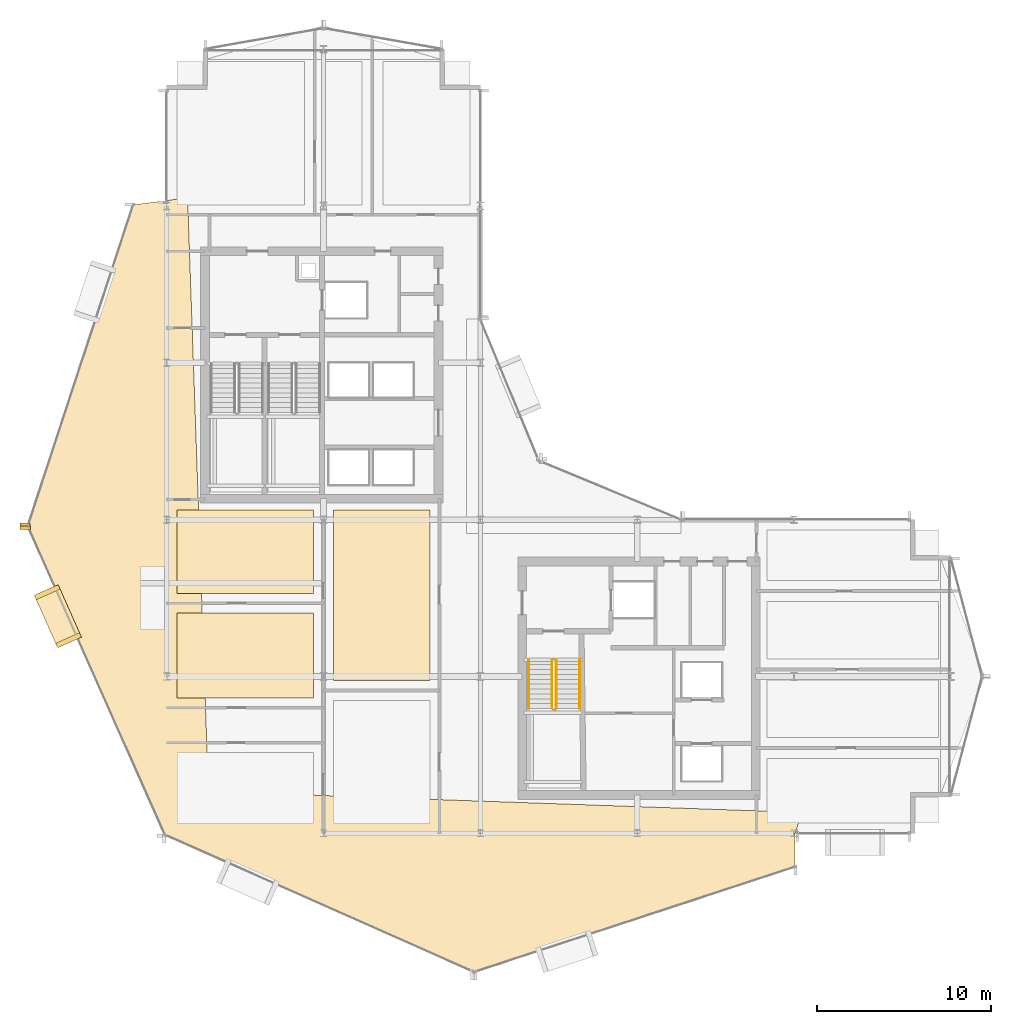
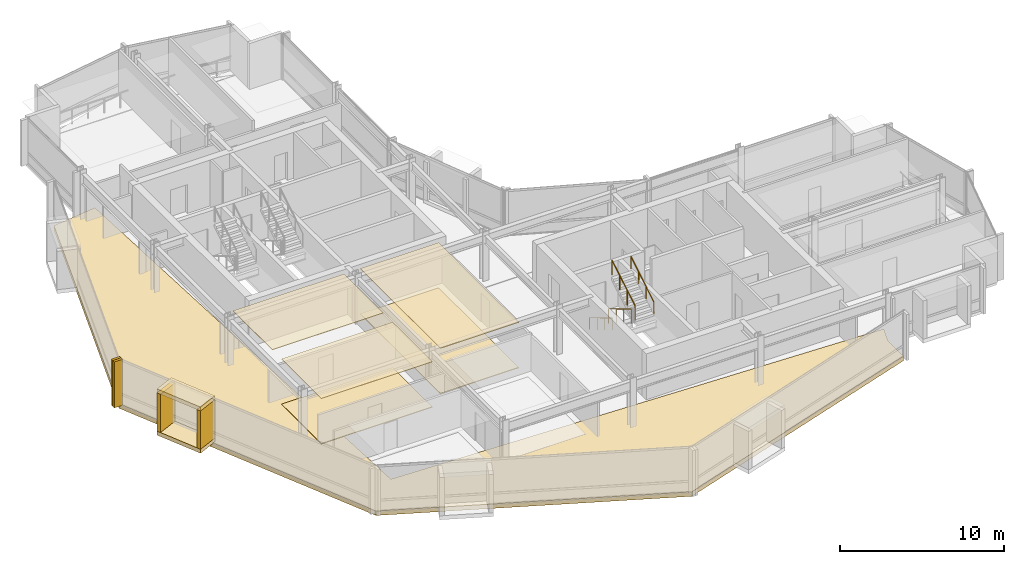
# One storey, part 26 of 29: 12 coverings, 4 railings.
"""IFC4 building model written with IfcOpenShell, lengths in metres."""

from ifc_helpers import new_model, si_unit, direction, frame, origin, origin_2d, place, context, subcontext, project, spatial, polyline, rectangle, circle, outline, extrude, material, layer, layer_set, type_object, element, save


model = new_model("IFC4")

# Units and contexts
model_context = context("Model", 3, precision=1e-05, world=origin(), true_north=direction((0.0, 1.0)))
body_context = subcontext(model_context, "Body", "Model", "MODEL_VIEW")
ifc_project = project(units=[si_unit("LENGTHUNIT", "METRE"), si_unit("AREAUNIT", "SQUARE_METRE"), si_unit("VOLUMEUNIT", "CUBIC_METRE"), si_unit("PLANEANGLEUNIT", "RADIAN"), si_unit("MASSUNIT", "GRAM", prefix="KILO")], contexts=[model_context])

# Site, building, storey
site_placement = place(None, origin())
site = spatial("IfcSite", under=ifc_project, at=site_placement, CompositionType="ELEMENT")
building_placement = place(site_placement, origin())
building = spatial("IfcBuilding", under=site, at=building_placement, Name="Solvaryn Broadcast Tower", CompositionType="ELEMENT")
storey_placement = place(building_placement, frame((0.0, 0.0, 143.300048828125)))
storey = spatial("IfcBuildingStorey", under=building, at=storey_placement, Name="L35", CompositionType="ELEMENT", Elevation=143.300048828125)

# Coverings
ifc_material_1 = material(Name="Micro-Perforated Acoustic Gypsum Ceiling", Category="concrete")
ifc_layer_1 = layer(ifc_material_1, 0.0400390625)
ifc_layer_set_1 = layer_set([ifc_layer_1], Name="CV-CEIL-ACOUSTIC")
covering_type_1 = type_object("IfcCoveringType", Name="CV-CEIL-ACOUSTIC", PredefinedType="CEILING", material=ifc_layer_set_1)
covering_1_placement = place(storey_placement, frame((0.0, 0.0, 3.3798828125)))
element("IfcCovering", 1, at=covering_1_placement, inside=storey, type_object=covering_type_1, Name="L35 Room Acoustic Ceiling 2", PredefinedType="CEILING", context=body_context, shape_type="SweptSolid", body=[
    extrude(outline(polyline([(18.570068359375, 17.77001953125), (24.10009765625, 17.77001953125), (24.10009765625, 27.56005859375), (18.570068359375, 27.56005859375), (18.570068359375, 17.77001953125)])), origin(), (0.0, 0.0, 1.0), 0.0400390625),
])
covering_2_placement = place(storey_placement, frame((0.0, 0.0, 3.3798828125)))
element("IfcCovering", 2, at=covering_2_placement, inside=storey, type_object=covering_type_1, Name="L35 Room Acoustic Ceiling 4", PredefinedType="CEILING", context=body_context, shape_type="SweptSolid", body=[
    extrude(outline(polyline([(9.60009765625, 16.77001953125), (17.429931640625, 16.77001953125), (17.429931640625, 21.6298828125), (9.60009765625, 21.6298828125), (9.60009765625, 16.77001953125)])), origin(), (0.0, 0.0, 1.0), 0.0400390625),
])
covering_3_placement = place(storey_placement, frame((0.0, 0.0, 3.3798828125)))
element("IfcCovering", 3, at=covering_3_placement, inside=storey, type_object=covering_type_1, Name="L35 Room Acoustic Ceiling 5", PredefinedType="CEILING", context=body_context, shape_type="SweptSolid", body=[
    extrude(outline(polyline([(9.60009765625, 22.77001953125), (17.429931640625, 22.77001953125), (17.429931640625, 27.56005859375), (9.60009765625, 27.56005859375), (9.60009765625, 22.77001953125)])), origin(), (0.0, 0.0, 1.0), 0.0400390625),
])
ifc_material_2 = material(Name="Newsroom Raised Data Access Flooring", Category="steel")
ifc_layer_2 = layer(ifc_material_2, 0.050048828125)
ifc_layer_set_2 = layer_set([ifc_layer_2], Name="CV-FLOOR-RAISED")
covering_type_2 = type_object("IfcCoveringType", Name="CV-FLOOR-RAISED", PredefinedType="FLOORING", material=ifc_layer_set_2)
covering_4_placement = place(storey_placement, origin())
element("IfcCovering", 4, at=covering_4_placement, inside=storey, type_object=covering_type_2, Name="L35 Room Acoustic Floor Finish 2", PredefinedType="FLOORING", context=body_context, shape_type="SweptSolid", body=[
    extrude(outline(polyline([(18.570068359375, 17.77001953125), (24.10009765625, 17.77001953125), (24.10009765625, 27.56005859375), (18.570068359375, 27.56005859375), (18.570068359375, 17.77001953125)])), origin(), (0.0, 0.0, 1.0), 0.050048828125),
])
covering_5_placement = place(storey_placement, origin())
element("IfcCovering", 5, at=covering_5_placement, inside=storey, type_object=covering_type_2, Name="L35 Room Acoustic Floor Finish 4", PredefinedType="FLOORING", context=body_context, shape_type="SweptSolid", body=[
    extrude(outline(polyline([(9.60009765625, 16.77001953125), (17.429931640625, 16.77001953125), (17.429931640625, 21.6298828125), (9.60009765625, 21.6298828125), (9.60009765625, 16.77001953125)])), origin(), (0.0, 0.0, 1.0), 0.050048828125),
])
ifc_material_3 = material(Name="Glazed Architectural Terracotta Rainscreen Cladding", Category="masonry")
ifc_layer_3 = layer(ifc_material_3, 0.280029296875)
ifc_layer_set_3 = layer_set([ifc_layer_3], Name="CV-TC-CLAD")
covering_type_3 = type_object("IfcCoveringType", Name="CV-TC-CLAD", PredefinedType="CLADDING", material=ifc_layer_set_3)
for number, where, z_axis, x_axis, name in (
    (6, (2.75390625, 21.45703125, 3.1298828125), (0.0, 0.0, 1.0), (0.405939269498, -0.913900054426, 0.0), "L35 Projecting Stone Window Box Hood 2"),
    (7, (2.75390625, 21.45703125, -0.01025390625), (0.0, 0.0, 1.0), (0.405939269498, -0.913900054426, 0.0), "L35 Projecting Stone Window Box Sill 2"),
):
    element("IfcCovering", number, at=place(storey_placement, frame(where, z_axis=z_axis, x_axis=x_axis)), inside=storey, type_object=covering_type_3, Name=name, PredefinedType="CLADDING", context=body_context, shape_type="SweptSolid", body=[
        extrude(rectangle(XDim=3.300048828125, YDim=1.5, at=origin_2d()), origin(), (0.0, 0.0, 1.0), 0.300048828125),
    ])
for number, where, z_axis, x_axis, name in (
    (8, (2.14111328125, 22.8369140625, 0.27978515625), (0.0, 0.0, 1.0), (0.405939269498, -0.913900054426, 0.0), "L35 Projecting Stone Window Box Cheek 2-1"),
    (9, (3.366943359375, 20.076904296875, 0.27978515625), (0.0, 0.0, 1.0), (0.405939269498, -0.913900054426, 0.0), "L35 Projecting Stone Window Box Cheek 2-2"),
):
    element("IfcCovering", number, at=place(storey_placement, frame(where, z_axis=z_axis, x_axis=x_axis)), inside=storey, type_object=covering_type_3, Name=name, PredefinedType="CLADDING", context=body_context, shape_type="SweptSolid", body=[
        extrude(rectangle(XDim=0.280029296875, YDim=1.5, at=origin_2d()), origin(), (0.0, 0.0, 1.0), 2.860107421875),
    ])
ifc_material_4 = material(Name="Extruded Architectural Terracotta Fin", Category="masonry")
ifc_layer_4 = layer(ifc_material_4, 0.179931640625)
ifc_layer_set_4 = layer_set([ifc_layer_4], Name="CV-TC-FIN")
covering_type_4 = type_object("IfcCoveringType", Name="CV-TC-FIN", PredefinedType="USERDEFINED", material=ifc_layer_set_4)
for number, where, z_axis, x_axis, name in (
    (10, (0.872314453125, 26.720703125, 0.0), (0.0, 0.0, 1.0), (1.0, 0.0, 0.0), "L35 Terracotta Vertical Fin FIN-L35-DR1-M01"),
    (11, (0.8818359375, 26.535888671875, 0.0), (0.0, 0.0, 1.0), (1.0, 0.0, 0.0), "L35 Terracotta Vertical Fin FIN-L35-DR2-M00"),
):
    element("IfcCovering", number, at=place(storey_placement, frame(where, z_axis=z_axis, x_axis=x_axis)), inside=storey, type_object=covering_type_4, Name=name, ObjectType="FIN", PredefinedType="USERDEFINED", context=body_context, shape_type="SweptSolid", body=[
        extrude(rectangle(XDim=0.580078125, YDim=0.179931640625, at=origin_2d()), origin(), (0.0, 0.0, 1.0), 3.419921875),
    ])
ifc_material_5 = material(Name="Sculpted Architectural Terracotta Wave Fascia", Category="masonry")
ifc_layer_5 = layer(ifc_material_5, 0.340087890625)
ifc_layer_set_5 = layer_set([ifc_layer_5], Name="CV-WAVE-TRAY")
covering_type_5 = type_object("IfcCoveringType", Name="CV-WAVE-TRAY", PredefinedType="CLADDING", material=ifc_layer_set_5)
covering_6_placement = place(storey_placement, frame((0.0, 0.0, -0.300048828125)))
element("IfcCovering", 12, at=covering_6_placement, inside=storey, type_object=covering_type_5, Name="L35 Stepped Cylindrical Drum Floor Apron", PredefinedType="CLADDING", context=body_context, shape_type="SweptSolid", body=[
    extrude(outline(polyline([(10.199951171875, 45.467041015625), (7.0791015625, 45.06689453125), (1.033935546875, 26.635986328125), (8.907958984375, 8.907958984375), (26.635986328125, 1.033935546875), (45.06689453125, 7.0791015625), (45.06689453125, 9.0), (45.467041015625, 10.199951171875), (11.39990234375, 11.39990234375), (10.199951171875, 45.467041015625)])), origin(), (0.0, 0.0, 1.0), 0.330078125),
])

# Railings
ifc_material_6 = material(Name="Painted Steel Stair Well Guard", Category="steel")
railing_type_1 = type_object("IfcRailingType", Name="RL-STAIR-GUARD", PredefinedType="BALUSTRADE", material=ifc_material_6)
railing_1_placement = place(storey_placement, frame((31.110107421875, 18.9599609375, 0.168212890625)))
element("IfcRailing", 13, at=railing_1_placement, inside=storey, type_object=railing_type_1, Name="L35 ST3 stair guard 1", PredefinedType="BALUSTRADE", context=body_context, shape_type="SweptSolid", body=[
    extrude(circle(Radius=0.02392578125, at=origin_2d()), frame((0.0, 0.0, 1.076171875), z_axis=(0.0, -0.857275202839, 0.514858452973), x_axis=(1.0, 0.0, 0.0)), (0.0, 0.0, 1.0), 3.26611328125),
    extrude(circle(Radius=0.02099609375, at=origin_2d()), origin(), (0.0, 0.0, 1.0), 1.052001953125),
    extrude(circle(Radius=0.02099609375, at=origin_2d()), frame((0.0, -0.933349609375, 0.560546875)), (0.0, 0.0, 1.0), 1.052001953125),
    extrude(circle(Radius=0.02099609375, at=origin_2d()), frame((0.0, -1.86669921875, 1.12109375)), (0.0, 0.0, 1.0), 1.052001953125),
    extrude(circle(Radius=0.02099609375, at=origin_2d()), frame((0.0, -2.800048828125, 1.681640625)), (0.0, 0.0, 1.0), 1.052001953125),
])
railing_2_placement = place(storey_placement, frame((31.360107421875, 16.159912109375, 2.01806640625)))
element("IfcRailing", 14, at=railing_2_placement, inside=storey, type_object=railing_type_1, Name="L35 ST3 stair guard 3", PredefinedType="BALUSTRADE", context=body_context, shape_type="SweptSolid", body=[
    extrude(circle(Radius=0.02392578125, at=origin_2d()), frame((0.0, 0.0, 1.076171875), z_axis=(0.0, 0.857242210791, 0.514913383045), x_axis=(-1.0, 0.0, 0.0)), (0.0, 0.0, 1.0), 3.266357421875),
    extrude(circle(Radius=0.02099609375, at=origin_2d()), origin(), (0.0, 0.0, 1.0), 1.052001953125),
    extrude(circle(Radius=0.02099609375, at=origin_2d()), frame((0.0, 0.933349609375, 0.560546875)), (0.0, 0.0, 1.0), 1.052001953125),
    extrude(circle(Radius=0.02099609375, at=origin_2d()), frame((0.0, 1.86669921875, 1.121337890625)), (0.0, 0.0, 1.0), 1.052001953125),
    extrude(circle(Radius=0.02099609375, at=origin_2d()), frame((0.0, 2.800048828125, 1.681884765625)), (0.0, 0.0, 1.0), 1.052001953125),
])
ifc_material_7 = material(Name="Brushed Stainless Steel Tubular Handrail", Category="steel")
railing_type_2 = type_object("IfcRailingType", Name="RL-STAIR-HANDRAIL", PredefinedType="HANDRAIL", material=ifc_material_7)
railing_3_placement = place(storey_placement, frame((29.77001953125, 18.9599609375, 0.168212890625)))
element("IfcRailing", 15, at=railing_3_placement, inside=storey, type_object=railing_type_2, Name="L35 ST3 stair handrail 1", PredefinedType="HANDRAIL", context=body_context, shape_type="SweptSolid", body=[
    extrude(circle(Radius=0.02392578125, at=origin_2d()), frame((0.0, 0.0, 0.8759765625), z_axis=(0.0, -0.857275202839, 0.514858452973), x_axis=(1.0, 0.0, 0.0)), (0.0, 0.0, 1.0), 3.26611328125),
    extrude(circle(Radius=0.02099609375, at=origin_2d()), origin(), (0.0, 0.0, 1.0), 0.851806640625),
    extrude(circle(Radius=0.02099609375, at=origin_2d()), frame((0.0, -0.933349609375, 0.560546875)), (0.0, 0.0, 1.0), 0.851806640625),
    extrude(circle(Radius=0.02099609375, at=origin_2d()), frame((0.0, -1.86669921875, 1.12109375)), (0.0, 0.0, 1.0), 0.851806640625),
    extrude(circle(Radius=0.02099609375, at=origin_2d()), frame((0.0, -2.800048828125, 1.681640625)), (0.0, 0.0, 1.0), 0.851806640625),
])
railing_4_placement = place(storey_placement, frame((32.699951171875, 16.159912109375, 2.01806640625)))
element("IfcRailing", 16, at=railing_4_placement, inside=storey, type_object=railing_type_2, Name="L35 ST3 stair handrail 2", PredefinedType="HANDRAIL", context=body_context, shape_type="SweptSolid", body=[
    extrude(circle(Radius=0.02392578125, at=origin_2d()), frame((0.0, 0.0, 0.8759765625), z_axis=(0.0, 0.857242210791, 0.514913383045), x_axis=(-1.0, 0.0, 0.0)), (0.0, 0.0, 1.0), 3.266357421875),
    extrude(circle(Radius=0.02099609375, at=origin_2d()), origin(), (0.0, 0.0, 1.0), 0.851806640625),
    extrude(circle(Radius=0.02099609375, at=origin_2d()), frame((0.0, 0.933349609375, 0.560546875)), (0.0, 0.0, 1.0), 0.851806640625),
    extrude(circle(Radius=0.02099609375, at=origin_2d()), frame((0.0, 1.86669921875, 1.121337890625)), (0.0, 0.0, 1.0), 0.851806640625),
    extrude(circle(Radius=0.02099609375, at=origin_2d()), frame((0.0, 2.800048828125, 1.681884765625)), (0.0, 0.0, 1.0), 0.851806640625),
])

save(model, "model.ifc")
